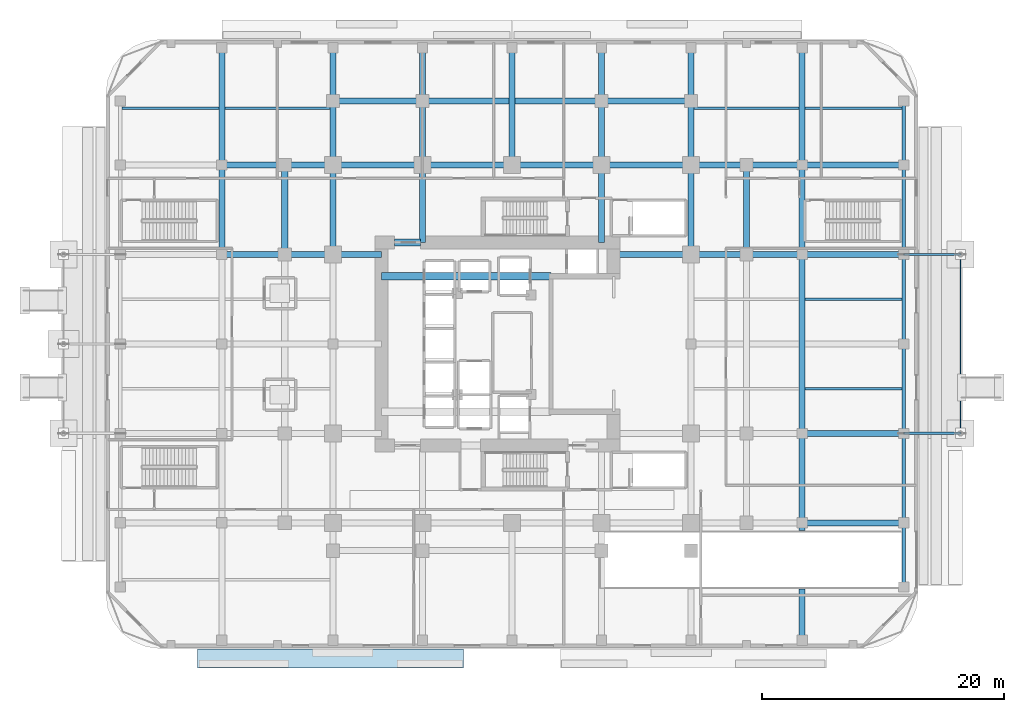
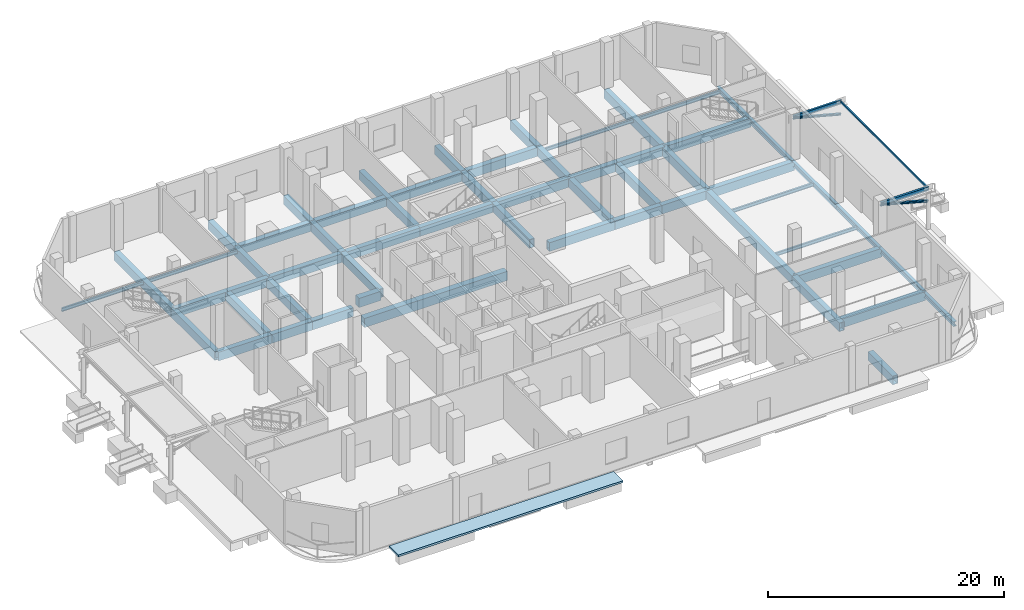
# One storey, part 8 of 24: 59 beams, 3 members, 1 slab.
"""IFC4 building model written with IfcOpenShell, lengths in metres."""

from ifc_helpers import new_model, si_unit, direction, frame, origin, origin_2d, place, context, subcontext, project, spatial, polyline, rectangle, hollow_rectangle, i_section, outline, extrude, material, layer, layer_set, material_profile, profile_set, type_object, element, save


model = new_model("IFC4")

# Units and contexts
model_context = context("Model", 3, precision=1e-05, world=origin(), true_north=direction((0.0, 1.0)))
body_context = subcontext(model_context, "Body", "Model", "MODEL_VIEW")
ifc_project = project(units=[si_unit("LENGTHUNIT", "METRE"), si_unit("AREAUNIT", "SQUARE_METRE"), si_unit("VOLUMEUNIT", "CUBIC_METRE"), si_unit("PLANEANGLEUNIT", "RADIAN"), si_unit("MASSUNIT", "GRAM", prefix="KILO")], contexts=[model_context])

# Site, building, storey
site_placement = place(None, origin())
site = spatial("IfcSite", under=ifc_project, at=site_placement, CompositionType="ELEMENT")
building_placement = place(site_placement, origin())
building = spatial("IfcBuilding", under=site, at=building_placement, Name="Khorvyn Point Tower", CompositionType="ELEMENT")
storey_placement = place(building_placement, origin())
storey = spatial("IfcBuildingStorey", under=building, at=storey_placement, Name="L01", CompositionType="ELEMENT", Elevation=0.0)

# Beams
ifc_material_1 = material(Name="Concrete C50/60", Category="concrete")
ifc_material_profile_1 = material_profile(ifc_material_1, rectangle(XDim=0.60009765625, YDim=0.949951171875, at=origin_2d()))
ifc_profile_set_1 = profile_set([ifc_material_profile_1], Name="Concrete C50/60 RC600x950")
beam_type_1 = type_object("IfcBeamType", Name="Concrete C50/60 Beam RC600x950", PredefinedType="BEAM", material=ifc_profile_set_1)
beam_1_placement = place(storey_placement, frame((-10.800048828125, 5.60009765625, -0.77490234375), z_axis=(1.0, 0.0, 0.0), x_axis=(0.0, 1.0, 0.0)))
element("IfcBeam", 1, at=beam_1_placement, inside=storey, type_object=beam_type_1, Name="L01 Core Internal Tie Girder N", PredefinedType="BEAM", context=body_context, shape_type="SweptSolid", body=[
    extrude(rectangle(XDim=0.60009765625, YDim=0.949951171875, at=origin_2d()), origin(), (0.0, 0.0, 1.0), 14.02001953125),
])
beam_2_placement = place(storey_placement, frame((-9.699951171875, 8.39990234375, -0.77490234375), z_axis=(1.0, 0.0, 0.0), x_axis=(0.0, 1.0, 0.0)))
element("IfcBeam", 2, at=beam_2_placement, inside=storey, type_object=beam_type_1, Name="L01 Core Northwest Portal Coupling Beam", PredefinedType="BEAM", context=body_context, shape_type="SweptSolid", body=[
    extrude(rectangle(XDim=0.60009765625, YDim=0.949951171875, at=origin_2d()), origin(), (0.0, 0.0, 1.0), 2.14990234375),
])
ifc_material_2 = material(Name="Steel S355", Category="steel")
ifc_material_profile_2 = material_profile(ifc_material_2, i_section(OverallWidth=0.175048828125, OverallDepth=0.35009765625, WebThickness=0.007080078125, FlangeThickness=0.010986328125, at=origin_2d()))
ifc_profile_set_2 = profile_set([ifc_material_profile_2], Name="Steel S355 H350x175x7x11")
beam_type_2 = type_object("IfcBeamType", Name="Steel S355 Joist H350x175x7x11", PredefinedType="JOIST", material=ifc_profile_set_2)
for number, where, z_axis, x_axis, name in (
    (3, (24.25, -3.699951171875, -0.47509765625), (1.0, 0.0, 0.0), (0.0, 1.0, 0.0), "Beam"),
    (4, (24.25, 3.699951171875, -0.47509765625), (1.0, 0.0, 0.0), (0.0, 1.0, 0.0), "Beam"),
    (5, (-32.25, 19.5, -0.47509765625), (1.0, 0.0, 0.0), (0.0, 1.0, 0.0), "Beam"),
):
    element("IfcBeam", number, at=place(storey_placement, frame(where, z_axis=z_axis, x_axis=x_axis)), inside=storey, type_object=beam_type_2, Name=name, PredefinedType="JOIST", context=body_context, shape_type="SweptSolid", body=[
        extrude(i_section(OverallWidth=0.175048828125, OverallDepth=0.35009765625, WebThickness=0.007080078125, FlangeThickness=0.010986328125, at=origin_2d()), origin(), (0.0, 0.0, 1.0), 8.0),
    ])
for number, where, z_axis, x_axis, name in (
    (6, (-23.75, 19.5, -0.47509765625), (1.0, 0.0, 0.0), (0.0, 1.0, 0.0), "Beam"),
    (7, (15.050048828125, 19.5, -0.47509765625), (1.0, 0.0, 0.0), (0.0, 1.0, 0.0), "Beam"),
):
    element("IfcBeam", number, at=place(storey_placement, frame(where, z_axis=z_axis, x_axis=x_axis)), inside=storey, type_object=beam_type_2, Name=name, PredefinedType="JOIST", context=body_context, shape_type="SweptSolid", body=[
        extrude(i_section(OverallWidth=0.175048828125, OverallDepth=0.35009765625, WebThickness=0.007080078125, FlangeThickness=0.010986328125, at=origin_2d()), origin(), (0.0, 0.0, 1.0), 8.699951171875),
    ])
beam_3_placement = place(storey_placement, frame((24.25, 19.5, -0.47509765625), z_axis=(1.0, 0.0, 0.0), x_axis=(0.0, 1.0, 0.0)))
element("IfcBeam", 8, at=beam_3_placement, inside=storey, type_object=beam_type_2, Name="Beam", PredefinedType="JOIST", context=body_context, shape_type="SweptSolid", body=[
    extrude(i_section(OverallWidth=0.175048828125, OverallDepth=0.35009765625, WebThickness=0.007080078125, FlangeThickness=0.010986328125, at=origin_2d()), origin(), (0.0, 0.0, 1.0), 8.0),
])
ifc_material_profile_3 = material_profile(ifc_material_2, i_section(OverallWidth=0.199951171875, OverallDepth=0.39990234375, WebThickness=0.008056640625, FlangeThickness=0.012939453125, at=origin_2d()))
ifc_profile_set_3 = profile_set([ifc_material_profile_3], Name="Steel S355 H400x200x8x13")
beam_type_3 = type_object("IfcBeamType", Name="Steel S355 Joist H400x200x8x13", PredefinedType="JOIST", material=ifc_profile_set_3)
for number, where, z_axis, x_axis, name in (
    (9, (32.39990234375, -7.39990234375, 4.139892578125), (1.0, 0.0, 0.0), (0.0, 1.0, 0.0), "L01 Canopy Cantilever Girder E1"),
    (10, (32.39990234375, 7.39990234375, 4.139892578125), (1.0, 0.0, 0.0), (0.0, 1.0, 0.0), "L01 Canopy Cantilever Girder E2"),
):
    element("IfcBeam", number, at=place(storey_placement, frame(where, z_axis=z_axis, x_axis=x_axis)), inside=storey, type_object=beam_type_3, Name=name, PredefinedType="JOIST", context=body_context, shape_type="SweptSolid", body=[
        extrude(i_section(OverallWidth=0.199951171875, OverallDepth=0.39990234375, WebThickness=0.008056640625, FlangeThickness=0.012939453125, at=origin_2d()), origin(), (0.0, 0.0, 1.0), 4.7001953125),
    ])
ifc_material_profile_4 = material_profile(ifc_material_2, i_section(OverallWidth=0.300048828125, OverallDepth=0.488037109375, WebThickness=0.010986328125, FlangeThickness=0.01806640625, at=origin_2d()))
ifc_profile_set_4 = profile_set([ifc_material_profile_4], Name="Steel S355 H488x300x11x18")
beam_type_4 = type_object("IfcBeamType", Name="Steel S355 Spandrel H488x300x11x18", PredefinedType="SPANDREL", material=ifc_profile_set_4)
beam_4_placement = place(storey_placement, frame((32.39990234375, -20.10009765625, -0.5791015625), z_axis=(0.0, 1.0, 0.0), x_axis=(-1.0, 0.0, 0.0)))
element("IfcBeam", 11, at=beam_4_placement, inside=storey, type_object=beam_type_4, Name="Beam", PredefinedType="SPANDREL", context=body_context, shape_type="SweptSolid", body=[
    extrude(i_section(OverallWidth=0.300048828125, OverallDepth=0.488037109375, WebThickness=0.010986328125, FlangeThickness=0.01806640625, at=origin_2d()), origin(), (0.0, 0.0, 1.0), 5.300048828125),
])
beam_5_placement = place(storey_placement, frame((32.39990234375, -14.800048828125, -0.5439453125), z_axis=(0.0, 1.0, 0.0), x_axis=(-1.0, 0.0, 0.0)))
element("IfcBeam", 12, at=beam_5_placement, inside=storey, type_object=beam_type_4, Name="Beam", PredefinedType="SPANDREL", context=body_context, shape_type="SweptSolid", body=[
    extrude(i_section(OverallWidth=0.300048828125, OverallDepth=0.488037109375, WebThickness=0.010986328125, FlangeThickness=0.01806640625, at=origin_2d()), origin(), (0.0, 0.0, 1.0), 7.400146484375),
])
for number, where, z_axis, x_axis, name in (
    (13, (32.39990234375, -7.39990234375, -0.5439453125), (0.0, 1.0, 0.0), (-1.0, 0.0, 0.0), "Beam"),
    (14, (32.39990234375, 0.0, -0.5439453125), (0.0, 1.0, 0.0), (-1.0, 0.0, 0.0), "Beam"),
):
    element("IfcBeam", number, at=place(storey_placement, frame(where, z_axis=z_axis, x_axis=x_axis)), inside=storey, type_object=beam_type_4, Name=name, PredefinedType="SPANDREL", context=body_context, shape_type="SweptSolid", body=[
        extrude(i_section(OverallWidth=0.300048828125, OverallDepth=0.488037109375, WebThickness=0.010986328125, FlangeThickness=0.01806640625, at=origin_2d()), origin(), (0.0, 0.0, 1.0), 7.39990234375),
    ])
beam_6_placement = place(storey_placement, frame((32.39990234375, 7.39990234375, -0.5439453125), z_axis=(0.0, 1.0, 0.0), x_axis=(-1.0, 0.0, 0.0)))
element("IfcBeam", 15, at=beam_6_placement, inside=storey, type_object=beam_type_4, Name="Beam", PredefinedType="SPANDREL", context=body_context, shape_type="SweptSolid", body=[
    extrude(i_section(OverallWidth=0.300048828125, OverallDepth=0.488037109375, WebThickness=0.010986328125, FlangeThickness=0.01806640625, at=origin_2d()), origin(), (0.0, 0.0, 1.0), 7.400146484375),
])
beam_7_placement = place(storey_placement, frame((32.39990234375, 14.800048828125, -0.5439453125), z_axis=(0.0, 1.0, 0.0), x_axis=(-1.0, 0.0, 0.0)))
element("IfcBeam", 16, at=beam_7_placement, inside=storey, type_object=beam_type_4, Name="Beam", PredefinedType="SPANDREL", context=body_context, shape_type="SweptSolid", body=[
    extrude(i_section(OverallWidth=0.300048828125, OverallDepth=0.488037109375, WebThickness=0.010986328125, FlangeThickness=0.01806640625, at=origin_2d()), origin(), (0.0, 0.0, 1.0), 5.300048828125),
])

# Members
ifc_material_profile_5 = material_profile(ifc_material_2, i_section(OverallWidth=0.199951171875, OverallDepth=0.199951171875, WebThickness=0.008056640625, FlangeThickness=0.011962890625, at=origin_2d()))
ifc_profile_set_5 = profile_set([ifc_material_profile_5], Name="Steel S355 H200x200x8x12")
member_type_1 = type_object("IfcMemberType", Name="Steel S355 Truss Brace H200x200x8x12", PredefinedType="BRACE", material=ifc_profile_set_5)
for number, where, z_axis, x_axis, name in (
    (17, (37.10009765625, -7.39990234375, 2.85009765625), (-0.966408018025, 0.0, 0.257012728667), (0.0, -1.0, 0.0), "L01 Canopy Strut E1"),
    (18, (37.10009765625, 7.39990234375, 2.85009765625), (-0.966408018025, 0.0, 0.257012728667), (0.0, -1.0, 0.0), "L01 Canopy Strut E2"),
):
    element("IfcMember", number, at=place(storey_placement, frame(where, z_axis=z_axis, x_axis=x_axis)), inside=storey, type_object=member_type_1, Name=name, PredefinedType="BRACE", context=body_context, shape_type="SweptSolid", body=[
        extrude(i_section(OverallWidth=0.199951171875, OverallDepth=0.199951171875, WebThickness=0.008056640625, FlangeThickness=0.011962890625, at=origin_2d()), origin(), (0.0, 0.0, 1.0), 4.863525390625),
    ])
ifc_material_profile_6 = material_profile(ifc_material_2, hollow_rectangle(XDim=0.1201171875, YDim=0.199951171875, WallThickness=0.008056640625, at=origin_2d()))
ifc_profile_set_6 = profile_set([ifc_material_profile_6], Name="Steel S355 RHS200x120x8")
member_type_2 = type_object("IfcMemberType", Name="Steel S355 Truss Chord RHS200x120x8", PredefinedType="CHORD", material=ifc_profile_set_6)
member_placement = place(storey_placement, frame((37.10009765625, -7.39990234375, 4.10009765625), z_axis=(0.0, 1.0, 0.0), x_axis=(-1.0, 0.0, 0.0)))
element("IfcMember", 19, at=member_placement, inside=storey, type_object=member_type_2, Name="L01 Canopy Edge Tie Chord E", PredefinedType="CHORD", context=body_context, shape_type="SweptSolid", body=[
    extrude(hollow_rectangle(XDim=0.1201171875, YDim=0.199951171875, WallThickness=0.008056640625, at=origin_2d()), origin(), (0.0, 0.0, 1.0), 14.7998046875),
])

# Beams
ifc_material_3 = material(Name="Steel S450", Category="steel")
ifc_material_profile_7 = material_profile(ifc_material_3, hollow_rectangle(XDim=0.5, YDim=0.89990234375, WallThickness=0.0400390625, at=origin_2d()))
ifc_profile_set_7 = profile_set([ifc_material_profile_7], Name="Steel S450 BOX900x500x40")
beam_type_5 = type_object("IfcBeamType", Name="Steel S450 Beam BOX900x500x40", PredefinedType="BEAM", material=ifc_profile_set_7)
for number, where, z_axis, x_axis, name in (
    (20, (24.0, -14.800048828125, -0.75), (1.0, 0.0, 0.0), (0.0, 1.0, 0.0), "Beam"),
    (21, (24.0, -7.39990234375, -0.75), (1.0, 0.0, 0.0), (0.0, 1.0, 0.0), "Beam"),
):
    element("IfcBeam", number, at=place(storey_placement, frame(where, z_axis=z_axis, x_axis=x_axis)), inside=storey, type_object=beam_type_5, Name=name, PredefinedType="BEAM", context=body_context, shape_type="SweptSolid", body=[
        extrude(hollow_rectangle(XDim=0.5, YDim=0.89990234375, WallThickness=0.0400390625, at=origin_2d()), origin(), (0.0, 0.0, 1.0), 8.39990234375),
    ])
beam_8_placement = place(storey_placement, frame((-24.0, 7.39990234375, -0.75), z_axis=(1.0, 0.0, 0.0), x_axis=(0.0, 1.0, 0.0)))
element("IfcBeam", 22, at=beam_8_placement, inside=storey, type_object=beam_type_5, Name="Beam", PredefinedType="BEAM", context=body_context, shape_type="SweptSolid", body=[
    extrude(hollow_rectangle(XDim=0.5, YDim=0.89990234375, WallThickness=0.0400390625, at=origin_2d()), origin(), (0.0, 0.0, 1.0), 5.199951171875),
])
for number, where, z_axis, x_axis, name in (
    (23, (-18.800048828125, 7.39990234375, -0.75), (1.0, 0.0, 0.0), (0.0, 1.0, 0.0), "Beam"),
    (24, (-14.800048828125, 7.39990234375, -0.75), (1.0, 0.0, 0.0), (0.0, 1.0, 0.0), "Beam"),
):
    element("IfcBeam", number, at=place(storey_placement, frame(where, z_axis=z_axis, x_axis=x_axis)), inside=storey, type_object=beam_type_5, Name=name, PredefinedType="BEAM", context=body_context, shape_type="SweptSolid", body=[
        extrude(hollow_rectangle(XDim=0.5, YDim=0.89990234375, WallThickness=0.0400390625, at=origin_2d()), origin(), (0.0, 0.0, 1.0), 4.0),
    ])
beam_9_placement = place(storey_placement, frame((8.39990234375, 7.39990234375, -0.75), z_axis=(1.0, 0.0, 0.0), x_axis=(0.0, 1.0, 0.0)))
element("IfcBeam", 25, at=beam_9_placement, inside=storey, type_object=beam_type_5, Name="Beam", PredefinedType="BEAM", context=body_context, shape_type="SweptSolid", body=[
    extrude(hollow_rectangle(XDim=0.5, YDim=0.89990234375, WallThickness=0.0400390625, at=origin_2d()), origin(), (0.0, 0.0, 1.0), 6.400146484375),
])
beam_10_placement = place(storey_placement, frame((14.800048828125, 7.39990234375, -0.75), z_axis=(1.0, 0.0, 0.0), x_axis=(0.0, 1.0, 0.0)))
element("IfcBeam", 26, at=beam_10_placement, inside=storey, type_object=beam_type_5, Name="Beam", PredefinedType="BEAM", context=body_context, shape_type="SweptSolid", body=[
    extrude(hollow_rectangle(XDim=0.5, YDim=0.89990234375, WallThickness=0.0400390625, at=origin_2d()), origin(), (0.0, 0.0, 1.0), 4.599853515625),
])
beam_11_placement = place(storey_placement, frame((19.39990234375, 7.39990234375, -0.75), z_axis=(1.0, 0.0, 0.0), x_axis=(0.0, 1.0, 0.0)))
element("IfcBeam", 27, at=beam_11_placement, inside=storey, type_object=beam_type_5, Name="Beam", PredefinedType="BEAM", context=body_context, shape_type="SweptSolid", body=[
    extrude(hollow_rectangle(XDim=0.5, YDim=0.89990234375, WallThickness=0.0400390625, at=origin_2d()), origin(), (0.0, 0.0, 1.0), 4.60009765625),
])
beam_12_placement = place(storey_placement, frame((24.0, 7.39990234375, -0.75), z_axis=(1.0, 0.0, 0.0), x_axis=(0.0, 1.0, 0.0)))
element("IfcBeam", 28, at=beam_12_placement, inside=storey, type_object=beam_type_5, Name="Beam", PredefinedType="BEAM", context=body_context, shape_type="SweptSolid", body=[
    extrude(hollow_rectangle(XDim=0.5, YDim=0.89990234375, WallThickness=0.0400390625, at=origin_2d()), origin(), (0.0, 0.0, 1.0), 8.39990234375),
])
beam_13_placement = place(storey_placement, frame((-24.0, 14.800048828125, -0.75), z_axis=(1.0, 0.0, 0.0), x_axis=(0.0, 1.0, 0.0)))
element("IfcBeam", 29, at=beam_13_placement, inside=storey, type_object=beam_type_5, Name="Beam", PredefinedType="BEAM", context=body_context, shape_type="SweptSolid", body=[
    extrude(hollow_rectangle(XDim=0.5, YDim=0.89990234375, WallThickness=0.0400390625, at=origin_2d()), origin(), (0.0, 0.0, 1.0), 5.199951171875),
])
beam_14_placement = place(storey_placement, frame((-18.800048828125, 14.800048828125, -0.75), z_axis=(1.0, 0.0, 0.0), x_axis=(0.0, 1.0, 0.0)))
element("IfcBeam", 30, at=beam_14_placement, inside=storey, type_object=beam_type_5, Name="Beam", PredefinedType="BEAM", context=body_context, shape_type="SweptSolid", body=[
    extrude(hollow_rectangle(XDim=0.5, YDim=0.89990234375, WallThickness=0.0400390625, at=origin_2d()), origin(), (0.0, 0.0, 1.0), 4.0),
])
beam_15_placement = place(storey_placement, frame((-14.800048828125, 14.800048828125, -0.75), z_axis=(1.0, 0.0, 0.0), x_axis=(0.0, 1.0, 0.0)))
element("IfcBeam", 31, at=beam_15_placement, inside=storey, type_object=beam_type_5, Name="Beam", PredefinedType="BEAM", context=body_context, shape_type="SweptSolid", body=[
    extrude(hollow_rectangle(XDim=0.5, YDim=0.89990234375, WallThickness=0.0400390625, at=origin_2d()), origin(), (0.0, 0.0, 1.0), 7.400146484375),
])
for number, where, z_axis, x_axis, name in (
    (32, (-7.39990234375, 14.800048828125, -0.75), (1.0, 0.0, 0.0), (0.0, 1.0, 0.0), "Beam"),
    (33, (0.0, 14.800048828125, -0.75), (1.0, 0.0, 0.0), (0.0, 1.0, 0.0), "Beam"),
):
    element("IfcBeam", number, at=place(storey_placement, frame(where, z_axis=z_axis, x_axis=x_axis)), inside=storey, type_object=beam_type_5, Name=name, PredefinedType="BEAM", context=body_context, shape_type="SweptSolid", body=[
        extrude(hollow_rectangle(XDim=0.5, YDim=0.89990234375, WallThickness=0.0400390625, at=origin_2d()), origin(), (0.0, 0.0, 1.0), 7.39990234375),
    ])
beam_16_placement = place(storey_placement, frame((7.39990234375, 14.800048828125, -0.75), z_axis=(1.0, 0.0, 0.0), x_axis=(0.0, 1.0, 0.0)))
element("IfcBeam", 34, at=beam_16_placement, inside=storey, type_object=beam_type_5, Name="Beam", PredefinedType="BEAM", context=body_context, shape_type="SweptSolid", body=[
    extrude(hollow_rectangle(XDim=0.5, YDim=0.89990234375, WallThickness=0.0400390625, at=origin_2d()), origin(), (0.0, 0.0, 1.0), 7.400146484375),
])
beam_17_placement = place(storey_placement, frame((14.800048828125, 14.800048828125, -0.75), z_axis=(1.0, 0.0, 0.0), x_axis=(0.0, 1.0, 0.0)))
element("IfcBeam", 35, at=beam_17_placement, inside=storey, type_object=beam_type_5, Name="Beam", PredefinedType="BEAM", context=body_context, shape_type="SweptSolid", body=[
    extrude(hollow_rectangle(XDim=0.5, YDim=0.89990234375, WallThickness=0.0400390625, at=origin_2d()), origin(), (0.0, 0.0, 1.0), 4.599853515625),
])
beam_18_placement = place(storey_placement, frame((19.39990234375, 14.800048828125, -0.75), z_axis=(1.0, 0.0, 0.0), x_axis=(0.0, 1.0, 0.0)))
element("IfcBeam", 36, at=beam_18_placement, inside=storey, type_object=beam_type_5, Name="Beam", PredefinedType="BEAM", context=body_context, shape_type="SweptSolid", body=[
    extrude(hollow_rectangle(XDim=0.5, YDim=0.89990234375, WallThickness=0.0400390625, at=origin_2d()), origin(), (0.0, 0.0, 1.0), 4.60009765625),
])
beam_19_placement = place(storey_placement, frame((24.0, 14.800048828125, -0.75), z_axis=(1.0, 0.0, 0.0), x_axis=(0.0, 1.0, 0.0)))
element("IfcBeam", 37, at=beam_19_placement, inside=storey, type_object=beam_type_5, Name="Beam", PredefinedType="BEAM", context=body_context, shape_type="SweptSolid", body=[
    extrude(hollow_rectangle(XDim=0.5, YDim=0.89990234375, WallThickness=0.0400390625, at=origin_2d()), origin(), (0.0, 0.0, 1.0), 8.39990234375),
])
beam_20_placement = place(storey_placement, frame((-14.800048828125, 20.10009765625, -0.75), z_axis=(1.0, 0.0, 0.0), x_axis=(0.0, 1.0, 0.0)))
element("IfcBeam", 38, at=beam_20_placement, inside=storey, type_object=beam_type_5, Name="Beam", PredefinedType="BEAM", context=body_context, shape_type="SweptSolid", body=[
    extrude(hollow_rectangle(XDim=0.5, YDim=0.89990234375, WallThickness=0.0400390625, at=origin_2d()), origin(), (0.0, 0.0, 1.0), 7.400146484375),
])
beam_21_placement = place(storey_placement, frame((-7.39990234375, 20.10009765625, -0.75), z_axis=(1.0, 0.0, 0.0), x_axis=(0.0, 1.0, 0.0)))
element("IfcBeam", 39, at=beam_21_placement, inside=storey, type_object=beam_type_5, Name="Beam", PredefinedType="BEAM", context=body_context, shape_type="SweptSolid", body=[
    extrude(hollow_rectangle(XDim=0.5, YDim=0.89990234375, WallThickness=0.0400390625, at=origin_2d()), origin(), (0.0, 0.0, 1.0), 14.7998046875),
])
for number, where, z_axis, x_axis, name in (
    (40, (7.39990234375, 20.10009765625, -0.75), (1.0, 0.0, 0.0), (0.0, 1.0, 0.0), "Beam"),
    (41, (-24.0, 7.39990234375, -0.75), (0.0, 1.0, 0.0), (-1.0, 0.0, 0.0), "Beam"),
):
    element("IfcBeam", number, at=place(storey_placement, frame(where, z_axis=z_axis, x_axis=x_axis)), inside=storey, type_object=beam_type_5, Name=name, PredefinedType="BEAM", context=body_context, shape_type="SweptSolid", body=[
        extrude(hollow_rectangle(XDim=0.5, YDim=0.89990234375, WallThickness=0.0400390625, at=origin_2d()), origin(), (0.0, 0.0, 1.0), 7.400146484375),
    ])
beam_22_placement = place(storey_placement, frame((-24.0, 14.800048828125, -0.75), z_axis=(0.0, 1.0, 0.0), x_axis=(-1.0, 0.0, 0.0)))
element("IfcBeam", 42, at=beam_22_placement, inside=storey, type_object=beam_type_5, Name="Beam", PredefinedType="BEAM", context=body_context, shape_type="SweptSolid", body=[
    extrude(hollow_rectangle(XDim=0.5, YDim=0.89990234375, WallThickness=0.0400390625, at=origin_2d()), origin(), (0.0, 0.0, 1.0), 9.699951171875),
])
beam_23_placement = place(storey_placement, frame((-14.800048828125, 7.39990234375, -0.75), z_axis=(0.0, 1.0, 0.0), x_axis=(-1.0, 0.0, 0.0)))
element("IfcBeam", 43, at=beam_23_placement, inside=storey, type_object=beam_type_5, Name="Beam", PredefinedType="BEAM", context=body_context, shape_type="SweptSolid", body=[
    extrude(hollow_rectangle(XDim=0.5, YDim=0.89990234375, WallThickness=0.0400390625, at=origin_2d()), origin(), (0.0, 0.0, 1.0), 7.400146484375),
])
beam_24_placement = place(storey_placement, frame((-14.800048828125, 14.800048828125, -0.75), z_axis=(0.0, 1.0, 0.0), x_axis=(-1.0, 0.0, 0.0)))
element("IfcBeam", 44, at=beam_24_placement, inside=storey, type_object=beam_type_5, Name="Beam", PredefinedType="BEAM", context=body_context, shape_type="SweptSolid", body=[
    extrude(hollow_rectangle(XDim=0.5, YDim=0.89990234375, WallThickness=0.0400390625, at=origin_2d()), origin(), (0.0, 0.0, 1.0), 5.300048828125),
])
beam_25_placement = place(storey_placement, frame((-14.800048828125, 20.10009765625, -0.75), z_axis=(0.0, 1.0, 0.0), x_axis=(-1.0, 0.0, 0.0)))
element("IfcBeam", 45, at=beam_25_placement, inside=storey, type_object=beam_type_5, Name="Beam", PredefinedType="BEAM", context=body_context, shape_type="SweptSolid", body=[
    extrude(hollow_rectangle(XDim=0.5, YDim=0.89990234375, WallThickness=0.0400390625, at=origin_2d()), origin(), (0.0, 0.0, 1.0), 4.39990234375),
])
beam_26_placement = place(storey_placement, frame((-7.39990234375, 8.39990234375, -0.75), z_axis=(0.0, 1.0, 0.0), x_axis=(-1.0, 0.0, 0.0)))
element("IfcBeam", 46, at=beam_26_placement, inside=storey, type_object=beam_type_5, Name="Beam", PredefinedType="BEAM", context=body_context, shape_type="SweptSolid", body=[
    extrude(hollow_rectangle(XDim=0.5, YDim=0.89990234375, WallThickness=0.0400390625, at=origin_2d()), origin(), (0.0, 0.0, 1.0), 6.400146484375),
])
beam_27_placement = place(storey_placement, frame((-7.39990234375, 14.800048828125, -0.75), z_axis=(0.0, 1.0, 0.0), x_axis=(-1.0, 0.0, 0.0)))
element("IfcBeam", 47, at=beam_27_placement, inside=storey, type_object=beam_type_5, Name="Beam", PredefinedType="BEAM", context=body_context, shape_type="SweptSolid", body=[
    extrude(hollow_rectangle(XDim=0.5, YDim=0.89990234375, WallThickness=0.0400390625, at=origin_2d()), origin(), (0.0, 0.0, 1.0), 5.300048828125),
])
beam_28_placement = place(storey_placement, frame((-7.39990234375, 20.10009765625, -0.75), z_axis=(0.0, 1.0, 0.0), x_axis=(-1.0, 0.0, 0.0)))
element("IfcBeam", 48, at=beam_28_placement, inside=storey, type_object=beam_type_5, Name="Beam", PredefinedType="BEAM", context=body_context, shape_type="SweptSolid", body=[
    extrude(hollow_rectangle(XDim=0.5, YDim=0.89990234375, WallThickness=0.0400390625, at=origin_2d()), origin(), (0.0, 0.0, 1.0), 4.39990234375),
])
beam_29_placement = place(storey_placement, frame((0.0, 14.800048828125, -0.75), z_axis=(0.0, 1.0, 0.0), x_axis=(-1.0, 0.0, 0.0)))
element("IfcBeam", 49, at=beam_29_placement, inside=storey, type_object=beam_type_5, Name="Beam", PredefinedType="BEAM", context=body_context, shape_type="SweptSolid", body=[
    extrude(hollow_rectangle(XDim=0.5, YDim=0.89990234375, WallThickness=0.0400390625, at=origin_2d()), origin(), (0.0, 0.0, 1.0), 9.699951171875),
])
beam_30_placement = place(storey_placement, frame((7.39990234375, 8.39990234375, -0.75), z_axis=(0.0, 1.0, 0.0), x_axis=(-1.0, 0.0, 0.0)))
element("IfcBeam", 50, at=beam_30_placement, inside=storey, type_object=beam_type_5, Name="Beam", PredefinedType="BEAM", context=body_context, shape_type="SweptSolid", body=[
    extrude(hollow_rectangle(XDim=0.5, YDim=0.89990234375, WallThickness=0.0400390625, at=origin_2d()), origin(), (0.0, 0.0, 1.0), 6.400146484375),
])
beam_31_placement = place(storey_placement, frame((7.39990234375, 14.800048828125, -0.75), z_axis=(0.0, 1.0, 0.0), x_axis=(-1.0, 0.0, 0.0)))
element("IfcBeam", 51, at=beam_31_placement, inside=storey, type_object=beam_type_5, Name="Beam", PredefinedType="BEAM", context=body_context, shape_type="SweptSolid", body=[
    extrude(hollow_rectangle(XDim=0.5, YDim=0.89990234375, WallThickness=0.0400390625, at=origin_2d()), origin(), (0.0, 0.0, 1.0), 5.300048828125),
])
beam_32_placement = place(storey_placement, frame((7.39990234375, 20.10009765625, -0.75), z_axis=(0.0, 1.0, 0.0), x_axis=(-1.0, 0.0, 0.0)))
element("IfcBeam", 52, at=beam_32_placement, inside=storey, type_object=beam_type_5, Name="Beam", PredefinedType="BEAM", context=body_context, shape_type="SweptSolid", body=[
    extrude(hollow_rectangle(XDim=0.5, YDim=0.89990234375, WallThickness=0.0400390625, at=origin_2d()), origin(), (0.0, 0.0, 1.0), 4.39990234375),
])
beam_33_placement = place(storey_placement, frame((14.800048828125, 7.39990234375, -0.75), z_axis=(0.0, 1.0, 0.0), x_axis=(-1.0, 0.0, 0.0)))
element("IfcBeam", 53, at=beam_33_placement, inside=storey, type_object=beam_type_5, Name="Beam", PredefinedType="BEAM", context=body_context, shape_type="SweptSolid", body=[
    extrude(hollow_rectangle(XDim=0.5, YDim=0.89990234375, WallThickness=0.0400390625, at=origin_2d()), origin(), (0.0, 0.0, 1.0), 7.400146484375),
])
beam_34_placement = place(storey_placement, frame((14.800048828125, 14.800048828125, -0.75), z_axis=(0.0, 1.0, 0.0), x_axis=(-1.0, 0.0, 0.0)))
element("IfcBeam", 54, at=beam_34_placement, inside=storey, type_object=beam_type_5, Name="Beam", PredefinedType="BEAM", context=body_context, shape_type="SweptSolid", body=[
    extrude(hollow_rectangle(XDim=0.5, YDim=0.89990234375, WallThickness=0.0400390625, at=origin_2d()), origin(), (0.0, 0.0, 1.0), 5.300048828125),
])
beam_35_placement = place(storey_placement, frame((14.800048828125, 20.10009765625, -0.75), z_axis=(0.0, 1.0, 0.0), x_axis=(-1.0, 0.0, 0.0)))
element("IfcBeam", 55, at=beam_35_placement, inside=storey, type_object=beam_type_5, Name="Beam", PredefinedType="BEAM", context=body_context, shape_type="SweptSolid", body=[
    extrude(hollow_rectangle(XDim=0.5, YDim=0.89990234375, WallThickness=0.0400390625, at=origin_2d()), origin(), (0.0, 0.0, 1.0), 4.39990234375),
])
beam_36_placement = place(storey_placement, frame((24.0, -24.5, -0.75), z_axis=(0.0, 1.0, 0.0), x_axis=(-1.0, 0.0, 0.0)))
element("IfcBeam", 56, at=beam_36_placement, inside=storey, type_object=beam_type_5, Name="Beam", PredefinedType="BEAM", context=body_context, shape_type="SweptSolid", body=[
    extrude(hollow_rectangle(XDim=0.5, YDim=0.89990234375, WallThickness=0.0400390625, at=origin_2d()), origin(), (0.0, 0.0, 1.0), 4.219970703125),
])
beam_37_placement = place(storey_placement, frame((24.0, -15.419921875, -0.75), z_axis=(0.0, 1.0, 0.0), x_axis=(-1.0, 0.0, 0.0)))
element("IfcBeam", 57, at=beam_37_placement, inside=storey, type_object=beam_type_5, Name="Beam", PredefinedType="BEAM", context=body_context, shape_type="SweptSolid", body=[
    extrude(hollow_rectangle(XDim=0.5, YDim=0.89990234375, WallThickness=0.0400390625, at=origin_2d()), origin(), (0.0, 0.0, 1.0), 8.02001953125),
])
beam_38_placement = place(storey_placement, frame((24.0, -7.39990234375, -0.75), z_axis=(0.0, 1.0, 0.0), x_axis=(-1.0, 0.0, 0.0)))
element("IfcBeam", 58, at=beam_38_placement, inside=storey, type_object=beam_type_5, Name="Beam", PredefinedType="BEAM", context=body_context, shape_type="SweptSolid", body=[
    extrude(hollow_rectangle(XDim=0.5, YDim=0.89990234375, WallThickness=0.0400390625, at=origin_2d()), origin(), (0.0, 0.0, 1.0), 14.7998046875),
])
beam_39_placement = place(storey_placement, frame((24.0, 7.39990234375, -0.75), z_axis=(0.0, 1.0, 0.0), x_axis=(-1.0, 0.0, 0.0)))
element("IfcBeam", 59, at=beam_39_placement, inside=storey, type_object=beam_type_5, Name="Beam", PredefinedType="BEAM", context=body_context, shape_type="SweptSolid", body=[
    extrude(hollow_rectangle(XDim=0.5, YDim=0.89990234375, WallThickness=0.0400390625, at=origin_2d()), origin(), (0.0, 0.0, 1.0), 7.400146484375),
])
beam_40_placement = place(storey_placement, frame((24.0, 14.800048828125, -0.75), z_axis=(0.0, 1.0, 0.0), x_axis=(-1.0, 0.0, 0.0)))
element("IfcBeam", 60, at=beam_40_placement, inside=storey, type_object=beam_type_5, Name="Beam", PredefinedType="BEAM", context=body_context, shape_type="SweptSolid", body=[
    extrude(hollow_rectangle(XDim=0.5, YDim=0.89990234375, WallThickness=0.0400390625, at=origin_2d()), origin(), (0.0, 0.0, 1.0), 9.699951171875),
])
for number, where, z_axis, x_axis, name in (
    (61, (-18.800048828125, 7.39990234375, -0.75), (0.0, 1.0, 0.0), (-1.0, 0.0, 0.0), "Beam"),
    (62, (19.39990234375, 7.39990234375, -0.75), (0.0, 1.0, 0.0), (-1.0, 0.0, 0.0), "Beam"),
):
    element("IfcBeam", number, at=place(storey_placement, frame(where, z_axis=z_axis, x_axis=x_axis)), inside=storey, type_object=beam_type_5, Name=name, PredefinedType="BEAM", context=body_context, shape_type="SweptSolid", body=[
        extrude(hollow_rectangle(XDim=0.5, YDim=0.89990234375, WallThickness=0.0400390625, at=origin_2d()), origin(), (0.0, 0.0, 1.0), 7.400146484375),
    ])

# Slab
ifc_material_4 = material(Name="Precast concrete C35/45", Category="concrete")
ifc_layer = layer(ifc_material_4, 0.199951171875)
ifc_layer_set = layer_set([ifc_layer], Name="Precast Concrete C35/45 Forecourt Paving Slab 200")
slab_type = type_object("IfcSlabType", Name="Precast Concrete C35/45 Forecourt Paving Slab 200", PredefinedType="USERDEFINED", material=ifc_layer_set)
slab_placement = place(storey_placement, frame((0.0, 0.0, -0.199951171875)))
element("IfcSlab", 63, at=slab_placement, inside=storey, type_object=slab_type, Name="L01 South Pedestrian Exit Walk Paving West", ObjectType="PAVING", PredefinedType="USERDEFINED", context=body_context, shape_type="SweptSolid", body=[
    extrude(outline(polyline([(-26.0, -26.800048828125), (-4.0, -26.800048828125), (-4.0, -25.219970703125), (-26.0, -25.219970703125), (-26.0, -26.800048828125)])), origin(), (0.0, 0.0, 1.0), 0.199951171875),
])

save(model, "model.ifc")
